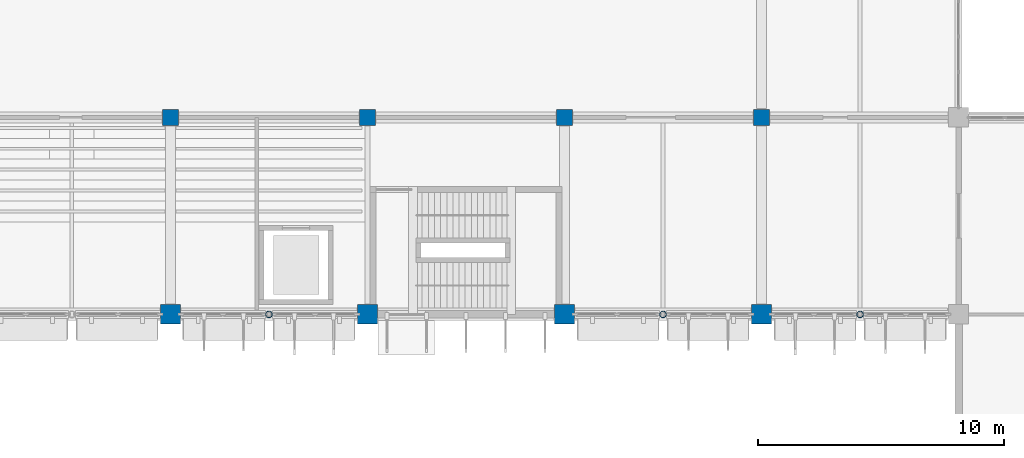
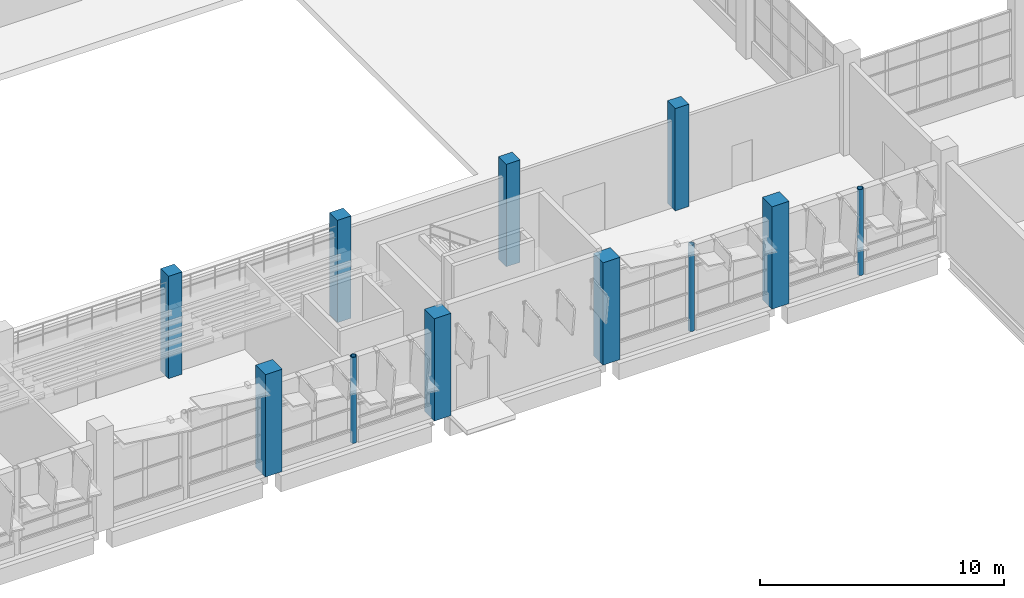
# One storey, part 4 of 103: 11 columns.
"""IFC4 building model written with IfcOpenShell, lengths in metres."""

from ifc_helpers import new_model, si_unit, direction, frame, origin, origin_2d, place, context, subcontext, project, spatial, rectangle, hollow_circle, extrude, material, material_profile, profile_set, type_object, element, save


model = new_model("IFC4")

# Units and contexts
model_context = context("Model", 3, precision=1e-05, world=origin(), true_north=direction((0.0, 1.0)))
body_context = subcontext(model_context, "Body", "Model", "MODEL_VIEW")
ifc_project = project(units=[si_unit("LENGTHUNIT", "METRE"), si_unit("AREAUNIT", "SQUARE_METRE"), si_unit("VOLUMEUNIT", "CUBIC_METRE"), si_unit("PLANEANGLEUNIT", "RADIAN"), si_unit("MASSUNIT", "GRAM", prefix="KILO")], contexts=[model_context])

# Site, building, storey
site_placement = place(None, origin())
site = spatial("IfcSite", under=ifc_project, at=site_placement, CompositionType="ELEMENT")
building_placement = place(site_placement, origin())
building = spatial("IfcBuilding", under=site, at=building_placement, Name="Drelvana Railside Aquatics Centre", CompositionType="ELEMENT")
storey_placement = place(building_placement, origin())
storey = spatial("IfcBuildingStorey", under=building, at=storey_placement, Name="L00", CompositionType="ELEMENT", Elevation=0.0)

# Columns
ifc_material_1 = material(Name="Concrete C40/50", Category="concrete")
ifc_material_profile_1 = material_profile(ifc_material_1, rectangle(XDim=0.64990234375, YDim=0.64990234375, at=origin_2d()), Name="RC 650x650")
ifc_profile_set_1 = profile_set([ifc_material_profile_1], Name="Concrete C40/50")
column_type_1 = type_object("IfcColumnType", Name="STR-COL-RC-650x650", PredefinedType="COLUMN", material=ifc_profile_set_1)
for number, where, z_axis, x_axis, name in (
    (1, (64.0, 24.0, 0.0), (0.0, 0.0, 1.0), (1.0, 0.0, 0.0), "Column C-05 (L00)"),
    (2, (72.0, 24.0, 0.0), (0.0, 0.0, 1.0), (1.0, 0.0, 0.0), "Column C-05 (L00)"),
    (3, (80.0, 24.0, 0.0), (0.0, 0.0, 1.0), (1.0, 0.0, 0.0), "Column C-05 (L00)"),
    (4, (88.0, 24.0, 0.0), (0.0, 0.0, 1.0), (1.0, 0.0, 0.0), "Column C-05 (L00)"),
):
    element("IfcColumn", number, at=place(storey_placement, frame(where, z_axis=z_axis, x_axis=x_axis)), inside=storey, type_object=column_type_1, Name=name, PredefinedType="COLUMN", context=body_context, shape_type="SweptSolid", body=[
        extrude(rectangle(XDim=0.64990234375, YDim=0.64990234375, at=origin_2d()), origin(), (0.0, 0.0, 1.0), 5.125),
    ])
ifc_material_profile_2 = material_profile(ifc_material_1, rectangle(XDim=0.800048828125, YDim=0.800048828125, at=origin_2d()), Name="RC 800x800")
ifc_profile_set_2 = profile_set([ifc_material_profile_2], Name="Concrete C40/50")
column_type_2 = type_object("IfcColumnType", Name="STR-COL-RC-800x800", PredefinedType="COLUMN", material=ifc_profile_set_2)
for number, where, z_axis, x_axis, name in (
    (5, (64.0, 16.0, 0.0), (0.0, 0.0, 1.0), (1.0, 0.0, 0.0), "Column C-08 (L00)"),
    (6, (72.0, 16.0, 0.0), (0.0, 0.0, 1.0), (1.0, 0.0, 0.0), "Column C-08 (L00)"),
    (7, (80.0, 16.0, 0.0), (0.0, 0.0, 1.0), (1.0, 0.0, 0.0), "Column C-08 (L00)"),
    (8, (88.0, 16.0, 0.0), (0.0, 0.0, 1.0), (1.0, 0.0, 0.0), "Column C-08 (L00)"),
):
    element("IfcColumn", number, at=place(storey_placement, frame(where, z_axis=z_axis, x_axis=x_axis)), inside=storey, type_object=column_type_2, Name=name, PredefinedType="COLUMN", context=body_context, shape_type="SweptSolid", body=[
        extrude(rectangle(XDim=0.800048828125, YDim=0.800048828125, at=origin_2d()), origin(), (0.0, 0.0, 1.0), 5.125),
    ])
ifc_material_2 = material(Name="Structural steel S355", Category="steel")
ifc_material_profile_3 = material_profile(ifc_material_2, hollow_circle(Radius=0.136474609375, WallThickness=0.012451171875, at=origin_2d()), Name="CHS 273x12.5")
ifc_profile_set_3 = profile_set([ifc_material_profile_3], Name="Structural steel S355")
column_type_3 = type_object("IfcColumnType", Name="STR-SCOL-CHS-273x12.5", PredefinedType="PILASTER", material=ifc_profile_set_3)
for number, where, z_axis, x_axis, name in (
    (9, (68.0, 16.0, 0.0), (0.0, 0.0, 1.0), (1.0, 0.0, 0.0), "Sine-wave facade steel post 7"),
    (10, (84.0, 16.0, 0.0), (0.0, 0.0, 1.0), (1.0, 0.0, 0.0), "Sine-wave facade steel post 9"),
    (11, (92.0, 16.0, 0.0), (0.0, 0.0, 1.0), (1.0, 0.0, 0.0), "Sine-wave facade steel post 10"),
):
    element("IfcColumn", number, at=place(storey_placement, frame(where, z_axis=z_axis, x_axis=x_axis)), inside=storey, type_object=column_type_3, Name=name, PredefinedType="PILASTER", context=body_context, shape_type="SweptSolid", body=[
        extrude(hollow_circle(Radius=0.136474609375, WallThickness=0.012451171875, at=origin_2d()), origin(), (0.0, 0.0, 1.0), 4.304931640625),
    ])

save(model, "model.ifc")
